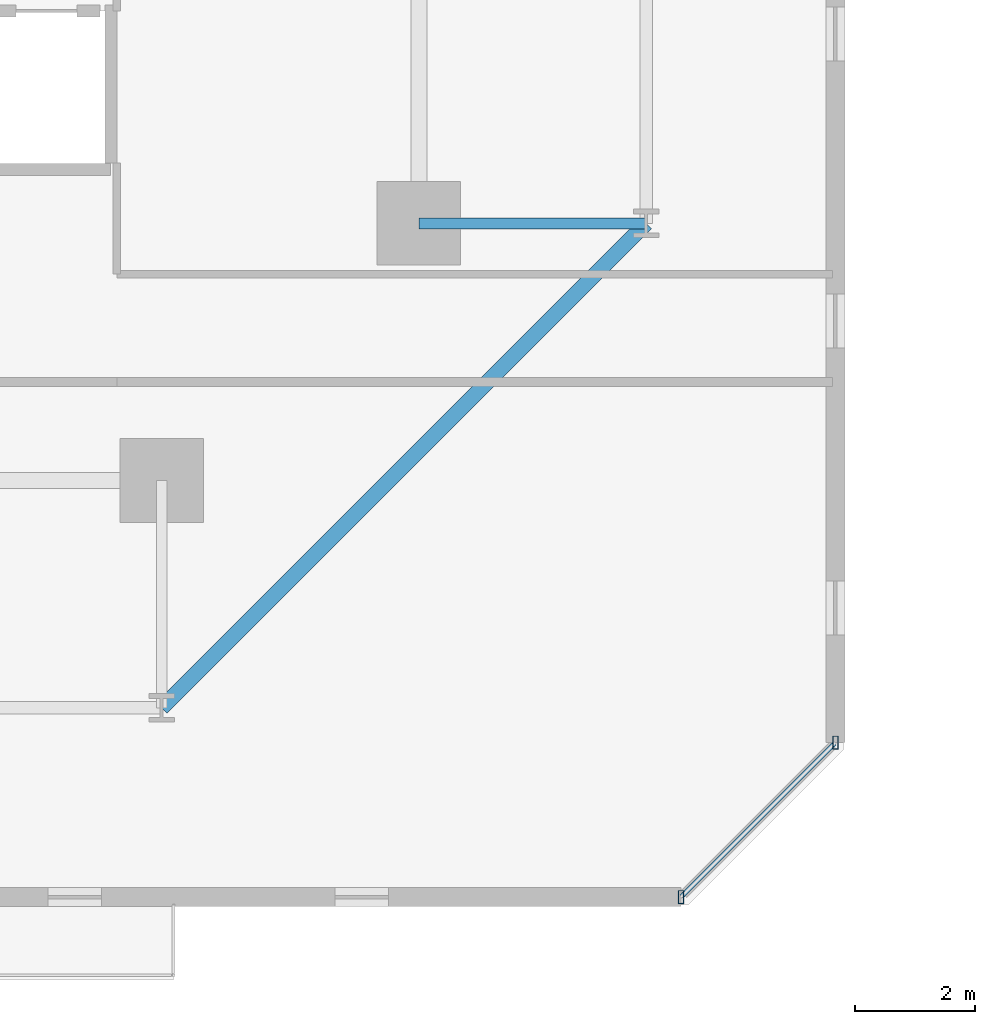
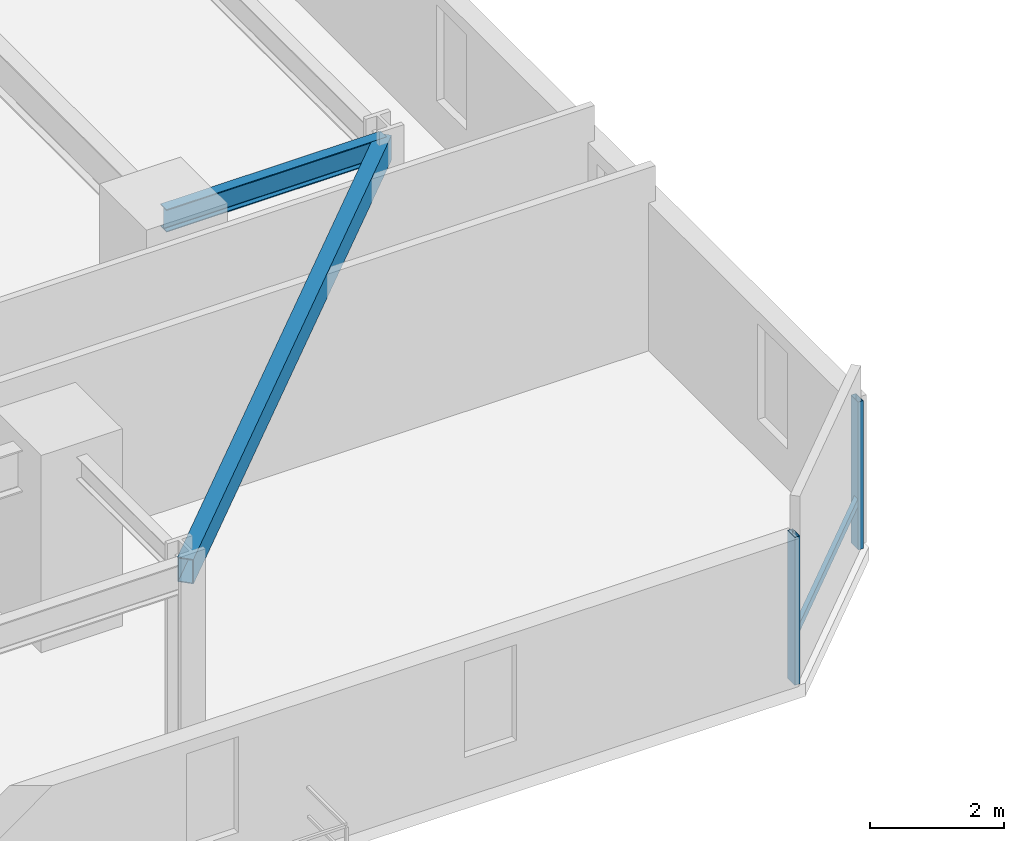
# One storey, part 5 of 34: 3 members, 2 beams, 1 element without a shape of its own.
"""IFC4 building model written with IfcOpenShell, lengths in metres."""

from ifc_helpers import new_model, si_unit, direction, frame, origin, origin_2d, place, context, subcontext, project, spatial, hollow_rectangle, i_section, extrude, material, material_profile, profile_set, type_object, element, aggregate, save


model = new_model("IFC4")

# Units and contexts
model_context = context("Model", 3, precision=1e-05, world=origin(), true_north=direction((0.0, 1.0)))
body_context = subcontext(model_context, "Body", "Model", "MODEL_VIEW")
ifc_project = project(units=[si_unit("LENGTHUNIT", "METRE"), si_unit("AREAUNIT", "SQUARE_METRE"), si_unit("VOLUMEUNIT", "CUBIC_METRE"), si_unit("PLANEANGLEUNIT", "RADIAN"), si_unit("MASSUNIT", "GRAM", prefix="KILO")], contexts=[model_context])

# Site, building, storey
site_placement = place(None, origin())
site = spatial("IfcSite", under=ifc_project, at=site_placement, CompositionType="ELEMENT")
building_placement = place(site_placement, origin())
building = spatial("IfcBuilding", under=site, at=building_placement, Name="Thornwick Lancets Civic Towers", CompositionType="ELEMENT")
storey_placement = place(building_placement, frame((0.0, 0.0, 57.300048828125)))
storey = spatial("IfcBuildingStorey", under=building, at=storey_placement, Name="L14", CompositionType="ELEMENT", Elevation=57.300048828125)

# Beams
ifc_material_1 = material(Name="Steel S355JR", Category="steel")
ifc_material_profile_1 = material_profile(ifc_material_1, i_section(OverallWidth=0.179443359375, OverallDepth=0.412841796875, WebThickness=0.009521484375, FlangeThickness=0.01611328125, FilletRadius=0.01025390625, at=origin_2d()), Name="UKB 406x178x74")
ifc_profile_set_1 = profile_set([ifc_material_profile_1], Name="Steel S355JR")
beam_type_1 = type_object("IfcBeamType", Name="BM_JOIST_406_74", PredefinedType="JOIST", material=ifc_profile_set_1)
beam_1_placement = place(storey_placement, frame((42.800048828125, 14.0, 3.153564453125), z_axis=(1.0, 0.0, 0.0), x_axis=(0.0, 1.0, 0.0)))
element("IfcBeam", 1, at=beam_1_placement, inside=storey, type_object=beam_type_1, Name="BM-RAD-L14-A04", PredefinedType="JOIST", context=body_context, shape_type="SweptSolid", body=[
    extrude(i_section(OverallWidth=0.179443359375, OverallDepth=0.412841796875, WebThickness=0.009521484375, FlangeThickness=0.01611328125, FilletRadius=0.01025390625, at=origin_2d()), origin(), (0.0, 0.0, 1.0), 3.800048828125),
])
ifc_material_profile_2 = material_profile(ifc_material_1, hollow_rectangle(XDim=0.25, YDim=0.449951171875, WallThickness=0.01611328125, at=origin_2d()), Name="RHS 450x250x16")
ifc_profile_set_2 = profile_set([ifc_material_profile_2], Name="Steel S355JR")
beam_type_2 = type_object("IfcBeamType", Name="BM_RING_RHS450", PredefinedType="BEAM", material=ifc_profile_set_2)
beam_2_placement = place(storey_placement, frame((38.5, 5.89990234375, 3.135009765625), z_axis=(0.707106781187, 0.707106781187, 0.0), x_axis=(-0.707106781187, 0.707106781187, 0.0)))
element("IfcBeam", 2, at=beam_2_placement, inside=storey, type_object=beam_type_2, Name="BM-CHAMF-L14-A-C0", PredefinedType="BEAM", context=body_context, shape_type="SweptSolid", body=[
    extrude(hollow_rectangle(XDim=0.25, YDim=0.449951171875, WallThickness=0.01611328125, at=origin_2d()), origin(), (0.0, 0.0, 1.0), 11.455322265625),
])

# Curtain wall, members
ifc_material_2 = material(Name="Low-zone chamfered-corner unitised glass curtain wall", Category="glass")
curtain_wall_type = type_object("IfcCurtainWallType", Name="CW_SYS_03", PredefinedType="NOTDEFINED", material=ifc_material_2)
curtain_wall_placement = place(storey_placement, origin())
curtain_wall = element("IfcCurtainWall", 3, at=curtain_wall_placement, inside=storey, type_object=curtain_wall_type, Name="L14 Curtain Wall CW-L14-A-E1", PredefinedType="NOTDEFINED")
ifc_material_3 = material(Name="Thermally broken bronze aluminium S355", Category="steel")
ifc_material_profile_3 = material_profile(ifc_material_3, hollow_rectangle(XDim=0.090087890625, YDim=0.219970703125, WallThickness=0.00634765625, at=origin_2d()), Name="RHS 220x90x6.3")
ifc_profile_set_3 = profile_set([ifc_material_profile_3], Name="Thermally broken bronze aluminium S355")
member_type_1 = type_object("IfcMemberType", Name="CW_MUL_220", PredefinedType="MULLION", material=ifc_profile_set_3)
member_1_placement = place(storey_placement, frame((47.18115234375, 2.735107421875, 0.0), z_axis=(0.0, 0.0, 1.0), x_axis=(1.0, 0.0, 0.0)))
member_1 = element("IfcMember", 4, at=member_1_placement, type_object=member_type_1, Name="CW-L14-A-E1 Mullion 0", PredefinedType="MULLION", context=body_context, shape_type="SweptSolid", body=[
    extrude(hollow_rectangle(XDim=0.090087890625, YDim=0.219970703125, WallThickness=0.00634765625, at=origin_2d()), origin(), (0.0, 0.0, 1.0), 2.699951171875),
])
member_2_placement = place(storey_placement, frame((49.764892578125, 5.31884765625, 0.0), z_axis=(0.0, 0.0, 1.0), x_axis=(1.0, 0.0, 0.0)))
member_2 = element("IfcMember", 5, at=member_2_placement, type_object=member_type_1, Name="CW-L14-A-E1 Mullion 1", PredefinedType="MULLION", context=body_context, shape_type="SweptSolid", body=[
    extrude(hollow_rectangle(XDim=0.090087890625, YDim=0.219970703125, WallThickness=0.00634765625, at=origin_2d()), origin(), (0.0, 0.0, 1.0), 2.699951171875),
])
ifc_material_profile_4 = material_profile(ifc_material_3, hollow_rectangle(XDim=0.074951171875, YDim=0.14990234375, WallThickness=0.0048828125, at=origin_2d()), Name="RHS 150x75x5")
ifc_profile_set_4 = profile_set([ifc_material_profile_4], Name="Thermally broken bronze aluminium S355")
member_type_2 = type_object("IfcMemberType", Name="CW_TRN_150", PredefinedType="USERDEFINED", material=ifc_profile_set_4)
member_3_placement = place(storey_placement, frame((47.1953125, 2.749267578125, 0.849853515625), z_axis=(0.707106781187, 0.707106781187, 0.0), x_axis=(-0.707106781187, 0.707106781187, 0.0)))
member_3 = element("IfcMember", 6, at=member_3_placement, type_object=member_type_2, Name="CW-L14-A-E1 Transom 0", ObjectType="TRANSOM", PredefinedType="USERDEFINED", context=body_context, shape_type="SweptSolid", body=[
    extrude(hollow_rectangle(XDim=0.074951171875, YDim=0.14990234375, WallThickness=0.0048828125, at=origin_2d()), origin(), (0.0, 0.0, 1.0), 3.614013671875),
])
aggregate(curtain_wall, [member_1, member_2, member_3])

save(model, "model.ifc")
